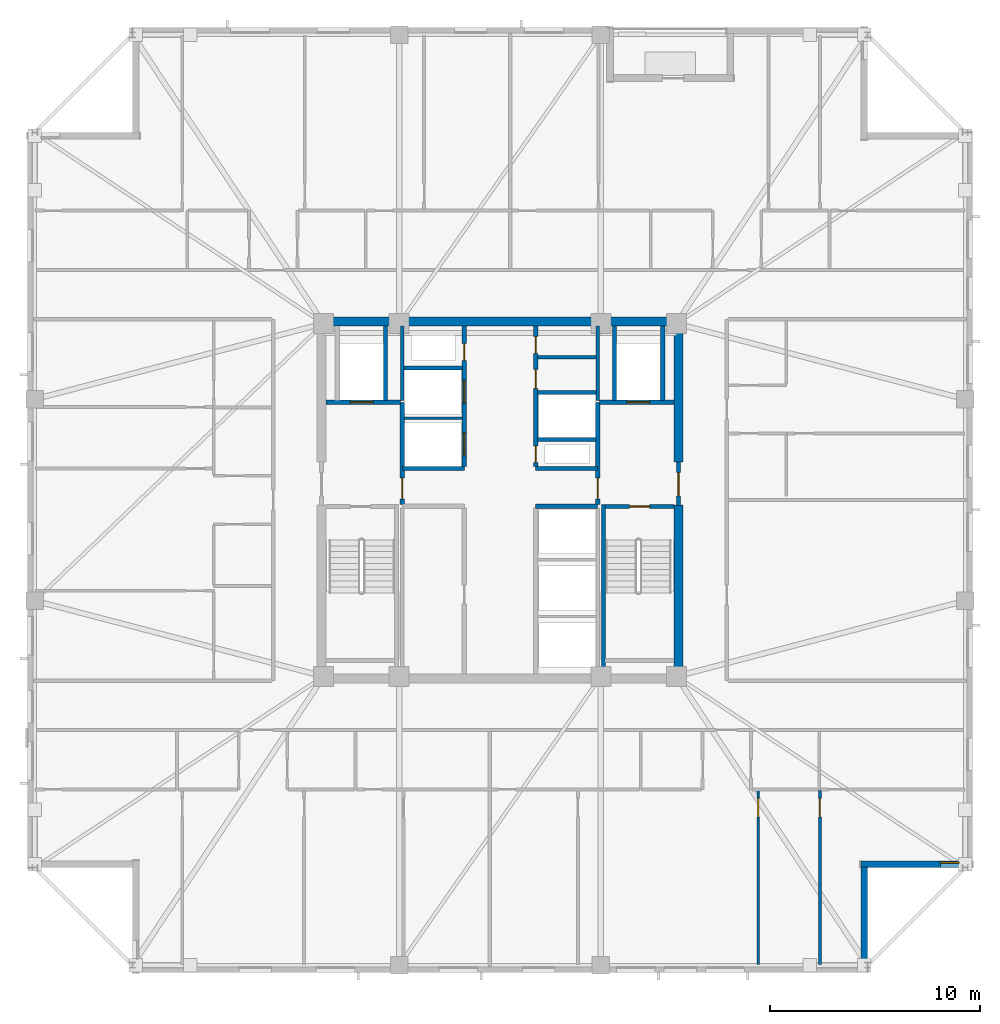
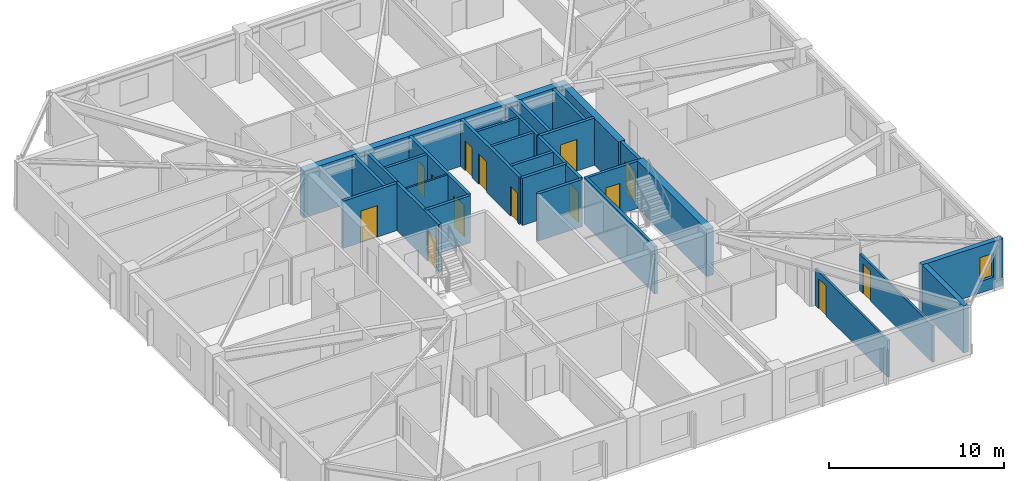
# One storey, part 9 of 17: 29 walls, 14 doors, 1 window, 15 openings.
"""IFC4 building model written with IfcOpenShell, lengths in metres."""

from ifc_helpers import new_model, si_unit, direction, frame, frame_2d, origin, place, context, subcontext, project, spatial, rectangle, extrude, material, layer, layer_set, type_object, element, fill, save


model = new_model("IFC4")

# Units and contexts
model_context = context("Model", 3, precision=1e-05, world=origin(), true_north=direction((0.0, 1.0)))
body_context = subcontext(model_context, "Body", "Model", "MODEL_VIEW")
ifc_project = project(units=[si_unit("LENGTHUNIT", "METRE"), si_unit("AREAUNIT", "SQUARE_METRE"), si_unit("VOLUMEUNIT", "CUBIC_METRE"), si_unit("PLANEANGLEUNIT", "RADIAN"), si_unit("MASSUNIT", "GRAM", prefix="KILO")], contexts=[model_context])

# Site, building, storey
site_placement = place(None, origin())
site = spatial("IfcSite", under=ifc_project, at=site_placement, CompositionType="ELEMENT")
building_placement = place(site_placement, origin())
building = spatial("IfcBuilding", under=site, at=building_placement, Name="Cairnveth Concourse Tower", CompositionType="ELEMENT")
storey_placement = place(building_placement, frame((0.0, 0.0, 202.5)))
storey = spatial("IfcBuildingStorey", under=building, at=storey_placement, Name="L55", CompositionType="ELEMENT", Elevation=202.5)

# Walls
ifc_material_1 = material(Name="Gypsum Plasterboard Partition", Category="gypsum")
ifc_layer_1 = layer(ifc_material_1, 0.159912109375)
ifc_layer_set_1 = layer_set([ifc_layer_1], Name="Gypsum Plasterboard Partition")
wall_type_1 = type_object("IfcWallType", Name="ACOUSTIC PARTY WALL 180", PredefinedType="PARTITIONING", material=ifc_layer_set_1)
wall_1_placement = place(storey_placement, frame((53.784912109375, 45.800048828125, 0.0), z_axis=(0.0, 0.0, 1.0), x_axis=(1.0, 0.0, 0.0)))
element("IfcWall", 1, at=wall_1_placement, inside=storey, type_object=wall_type_1, Name="Interior Wall IW-L55-035", PredefinedType="PARTITIONING", context=body_context, shape_type="SweptSolid", body=[
    extrude(rectangle(XDim=2.7900390625, YDim=0.159912109375, at=frame_2d((1.39501953125, 0.0))), origin(), (0.0, 0.0, 1.0), 3.2900390625),
])
ifc_material_2 = material(Name="Concrete N65 (65 MPa)", Category="concrete")
ifc_layer_2 = layer(ifc_material_2, 0.449951171875)
ifc_layer_set_2 = layer_set([ifc_layer_2], Name="Concrete N65 (65 MPa)")
wall_type_2 = type_object("IfcWallType", Name="CORE SHEAR WALL 450", PredefinedType="SHEAR", material=ifc_layer_set_2)
wall_2_placement = place(storey_placement, frame((43.27490234375, 47.5, 0.0), z_axis=(0.0, 0.0, 1.0), x_axis=(1.0, 0.0, 0.0)))
element("IfcWall", 2, at=wall_2_placement, inside=storey, type_object=wall_type_2, Name="Core North Shear Wall L55", PredefinedType="SHEAR", context=body_context, shape_type="SweptSolid", body=[
    extrude(rectangle(XDim=17.4501953125, YDim=0.449951171875, at=frame_2d((8.72509765625, 0.0))), origin(), (0.0, 0.0, 1.0), 3.2900390625),
])
wall_3_placement = place(storey_placement, frame((60.5, 30.715087890625, 0.0), z_axis=(0.0, 0.0, 1.0), x_axis=(0.0, 1.0, 0.0)))
element("IfcWall", 3, at=wall_3_placement, inside=storey, type_object=wall_type_2, Name="Core East Shear Wall S L55", PredefinedType="SHEAR", context=body_context, shape_type="SweptSolid", body=[
    extrude(rectangle(XDim=8.034912109375, YDim=0.449951171875, at=frame_2d((4.017578125, 0.0))), origin(), (0.0, 0.0, 1.0), 3.2900390625),
])
wall_4_placement = place(storey_placement, frame((60.5, 40.800048828125, 0.0), z_axis=(0.0, 0.0, 1.0), x_axis=(0.0, 1.0, 0.0)))
element("IfcWall", 4, at=wall_4_placement, inside=storey, type_object=wall_type_2, Name="Core East Shear Wall N L55", PredefinedType="SHEAR", context=body_context, shape_type="SweptSolid", body=[
    extrude(rectangle(XDim=6.48486328125, YDim=0.449951171875, at=frame_2d((3.242431640625, 0.0))), origin(), (0.0, 0.0, 1.0), 3.2900390625),
])
ifc_material_3 = material(Name="Concrete N50 (50 MPa)", Category="concrete")
ifc_layer_3 = layer(ifc_material_3, 0.179931640625)
ifc_layer_set_3 = layer_set([ifc_layer_3], Name="Concrete N50 (50 MPa)")
wall_type_3 = type_object("IfcWallType", Name="FIRE SHAFT WALL 180", PredefinedType="SOLIDWALL", material=ifc_layer_set_3)
wall_5_placement = place(storey_placement, frame((47.35009765625, 43.735107421875, 0.0), z_axis=(0.0, 0.0, 1.0), x_axis=(0.0, 1.0, 0.0)))
element("IfcWall", 5, at=wall_5_placement, inside=storey, type_object=wall_type_3, Name="Interior Wall IW-L55-029", PredefinedType="SOLIDWALL", context=body_context, shape_type="SweptSolid", body=[
    extrude(rectangle(XDim=3.554931640625, YDim=0.179931640625, at=frame_2d((1.77734375, 0.0))), origin(), (0.0, 0.0, 1.0), 3.2900390625),
])
wall_6_placement = place(storey_placement, frame((47.425048828125, 45.280029296875, 0.0), z_axis=(0.0, 0.0, 1.0), x_axis=(1.0, 0.0, 0.0)))
element("IfcWall", 6, at=wall_6_placement, inside=storey, type_object=wall_type_3, Name="Interior Wall IW-L55-031", PredefinedType="SOLIDWALL", context=body_context, shape_type="SweptSolid", body=[
    extrude(rectangle(XDim=2.7900390625, YDim=0.179931640625, at=frame_2d((1.39501953125, 0.0))), origin(), (0.0, 0.0, 1.0), 3.2900390625),
])
wall_7_placement = place(storey_placement, frame((56.64990234375, 43.735107421875, 0.0), z_axis=(0.0, 0.0, 1.0), x_axis=(0.0, 1.0, 0.0)))
element("IfcWall", 7, at=wall_7_placement, inside=storey, type_object=wall_type_3, Name="Interior Wall IW-L55-032", PredefinedType="SOLIDWALL", context=body_context, shape_type="SweptSolid", body=[
    extrude(rectangle(XDim=3.554931640625, YDim=0.179931640625, at=frame_2d((1.77734375, 0.0))), origin(), (0.0, 0.0, 1.0), 3.2900390625),
])
wall_8_placement = place(storey_placement, frame((53.784912109375, 41.8798828125, 0.0), z_axis=(0.0, 0.0, 1.0), x_axis=(1.0, 0.0, 0.0)))
element("IfcWall", 8, at=wall_8_placement, inside=storey, type_object=wall_type_3, Name="Interior Wall IW-L55-033", PredefinedType="SOLIDWALL", context=body_context, shape_type="SweptSolid", body=[
    extrude(rectangle(XDim=2.780029296875, YDim=0.179931640625, at=frame_2d((1.39013671875, 0.0))), origin(), (0.0, 0.0, 1.0), 3.2900390625),
])
wall_9_placement = place(storey_placement, frame((53.784912109375, 44.1201171875, 0.0), z_axis=(0.0, 0.0, 1.0), x_axis=(1.0, 0.0, 0.0)))
element("IfcWall", 9, at=wall_9_placement, inside=storey, type_object=wall_type_3, Name="Interior Wall IW-L55-034", PredefinedType="SOLIDWALL", context=body_context, shape_type="SweptSolid", body=[
    extrude(rectangle(XDim=2.7900390625, YDim=0.179931640625, at=frame_2d((1.39501953125, 0.0))), origin(), (0.0, 0.0, 1.0), 3.2900390625),
])

# Wall, opening, door
wall_10_placement = place(storey_placement, frame((57.0048828125, 38.68994140625, 0.0), z_axis=(0.0, 0.0, 1.0), x_axis=(1.0, 0.0, 0.0)))
wall_10 = element("IfcWall", 10, at=wall_10_placement, inside=storey, type_object=wall_type_3, Name="Stair ST-2 Shaft Wall NEAR L55", PredefinedType="SOLIDWALL", context=body_context, shape_type="SweptSolid", body=[
    extrude(rectangle(XDim=3.280029296875, YDim=0.179931640625, at=frame_2d((1.64013671875, 0.0))), origin(), (0.0, 0.0, 1.0), 3.2900390625),
])
opening_1_placement = place(wall_10_placement, frame((1.1650390625, 0.0, 0.0)))
opening_1 = element("IfcOpeningElement", 11, at=opening_1_placement, cuts=wall_10, Name="Opening ID12", PredefinedType="OPENING", context=body_context, shape_type="SweptSolid", body=[
    extrude(rectangle(XDim=0.949951171875, YDim=2.14990234375, at=frame_2d((0.47509765625, 1.074951171875))), frame((0.0, 0.099853515625, 0.0), z_axis=(0.0, -1.0, 0.0), x_axis=(1.0, 0.0, 0.0)), (0.0, 0.0, 1.0), 0.199951171875),
])
ifc_material_4 = material(Name="Steel Grade 350", Category="steel")
door_type_1 = type_object("IfcDoorType", Name="FIRE STAIR DOOR 950X2150", OperationType="NOTDEFINED", PredefinedType="DOOR", material=ifc_material_4)
door_1_placement = place(opening_1_placement, origin())
door_1 = element("IfcDoor", 12, at=door_1_placement, inside=storey, type_object=door_type_1, Name="Stair ST-2 Fire Door L55", OperationType="SINGLE_SWING_RIGHT", OverallHeight=2.14990234375, OverallWidth=0.949951171875, PredefinedType="DOOR", context=body_context, shape_type="SweptSolid", body=[
    extrude(rectangle(XDim=0.949951171875, YDim=2.14990234375, at=frame_2d((0.47509765625, 1.074951171875))), frame((0.0, 0.02490234375, 0.0), z_axis=(0.0, -1.0, 0.0), x_axis=(1.0, 0.0, 0.0)), (0.0, 0.0, 1.0), 0.050048828125),
])
fill(opening_1, door_1)

# Walls
wall_11_placement = place(storey_placement, frame((56.929931640625, 38.780029296875, 0.0), z_axis=(0.0, 0.0, 1.0), x_axis=(0.0, -1.0, 0.0)))
element("IfcWall", 13, at=wall_11_placement, inside=storey, type_object=wall_type_3, Name="Stair ST-2 Shaft Wall LEFT L55", PredefinedType="SOLIDWALL", context=body_context, shape_type="SweptSolid", body=[
    extrude(rectangle(XDim=8.067138671875, YDim=0.179931640625, at=frame_2d((4.03369140625, 0.0))), origin(), (0.0, 0.0, 1.0), 3.2900390625),
])
ifc_layer_4 = layer(ifc_material_3, 0.199951171875)
ifc_layer_set_4 = layer_set([ifc_layer_4], Name="Concrete N50 (50 MPa)")
wall_type_4 = type_object("IfcWallType", Name="FIRE SHAFT WALL 200", PredefinedType="SOLIDWALL", material=ifc_layer_set_4)
for number, where, z_axis, x_axis, name in (
    (14, (47.35009765625, 40.5, 0.0), (0.0, 0.0, 1.0), (1.0, 0.0, 0.0), "Interior Wall IW-L55-008"),
    (15, (53.699951171875, 38.699951171875, 0.0), (0.0, 0.0, 1.0), (1.0, 0.0, 0.0), "Interior Wall IW-L55-009"),
    (16, (53.699951171875, 40.5, 0.0), (0.0, 0.0, 1.0), (1.0, 0.0, 0.0), "Interior Wall IW-L55-010"),
):
    element("IfcWall", number, at=place(storey_placement, frame(where, z_axis=z_axis, x_axis=x_axis)), inside=storey, type_object=wall_type_4, Name=name, PredefinedType="SOLIDWALL", context=body_context, shape_type="SweptSolid", body=[
        extrude(rectangle(XDim=2.949951171875, YDim=0.199951171875, at=frame_2d((1.47509765625, 0.0))), origin(), (0.0, 0.0, 1.0), 3.2900390625),
    ])

# Wall, openings, doors
wall_12_placement = place(storey_placement, frame((50.300048828125, 40.5849609375, 0.0), z_axis=(0.0, 0.0, 1.0), x_axis=(0.0, 1.0, 0.0)))
wall_12 = element("IfcWall", 17, at=wall_12_placement, inside=storey, type_object=wall_type_4, Name="Interior Wall IW-L55-013", PredefinedType="SOLIDWALL", context=body_context, shape_type="SweptSolid", body=[
    extrude(rectangle(XDim=6.705078125, YDim=0.199951171875, at=frame_2d((3.3525390625, 0.0))), origin(), (0.0, 0.0, 1.0), 3.2900390625),
])
opening_2_placement = place(wall_12_placement, frame((0.514892578125, 0.0, 0.0)))
opening_2 = element("IfcOpeningElement", 18, at=opening_2_placement, cuts=wall_12, Name="Opening LD-1", PredefinedType="OPENING", context=body_context, shape_type="SweptSolid", body=[
    extrude(rectangle(XDim=1.10009765625, YDim=2.199951171875, at=frame_2d((0.550048828125, 1.10009765625))), frame((0.0, 0.10986328125, 0.0), z_axis=(0.0, -1.0, 0.0), x_axis=(1.0, 0.0, 0.0)), (0.0, 0.0, 1.0), 0.219970703125),
])
opening_3_placement = place(wall_12_placement, frame((3.014892578125, 0.0, 0.0)))
opening_3 = element("IfcOpeningElement", 19, at=opening_3_placement, cuts=wall_12, Name="Opening LD-1", PredefinedType="OPENING", context=body_context, shape_type="SweptSolid", body=[
    extrude(rectangle(XDim=1.10009765625, YDim=2.199951171875, at=frame_2d((0.550048828125, 1.10009765625))), frame((0.0, 0.10986328125, 0.0), z_axis=(0.0, -1.0, 0.0), x_axis=(1.0, 0.0, 0.0)), (0.0, 0.0, 1.0), 0.219970703125),
])
opening_4_placement = place(wall_12_placement, frame((5.06494140625, 0.0, 0.0)))
opening_4 = element("IfcOpeningElement", 20, at=opening_4_placement, cuts=wall_12, Name="Opening ID24", PredefinedType="OPENING", context=body_context, shape_type="SweptSolid", body=[
    extrude(rectangle(XDim=0.800048828125, YDim=2.080078125, at=frame_2d((0.39990234375, 1.0400390625))), frame((0.0, 0.10986328125, 0.0), z_axis=(0.0, -1.0, 0.0), x_axis=(1.0, 0.0, 0.0)), (0.0, 0.0, 1.0), 0.219970703125),
])
ifc_material_5 = material(Name="Architectural Bronze Anodised Aluminium 6063-T6", Category="aluminium")
door_type_2 = type_object("IfcDoorType", Name="LIFT LANDING DOOR 1100X2200", OperationType="SLIDING_TO_LEFT", PredefinedType="DOOR", material=ifc_material_5)
door_2_placement = place(opening_2_placement, origin())
door_2 = element("IfcDoor", 21, at=door_2_placement, inside=storey, type_object=door_type_2, Name="Lift PL7 Landing Door L55", OperationType="SLIDING_TO_LEFT", OverallHeight=2.199951171875, OverallWidth=1.10009765625, PredefinedType="DOOR", context=body_context, shape_type="SweptSolid", body=[
    extrude(rectangle(XDim=1.10009765625, YDim=2.199951171875, at=frame_2d((0.550048828125, 1.10009765625))), frame((0.0, 0.02490234375, 0.0), z_axis=(0.0, -1.0, 0.0), x_axis=(1.0, 0.0, 0.0)), (0.0, 0.0, 1.0), 0.050048828125),
])
fill(opening_2, door_2)
door_3_placement = place(opening_3_placement, origin())
door_3 = element("IfcDoor", 22, at=door_3_placement, inside=storey, type_object=door_type_2, Name="Lift PL8 Landing Door L55", OperationType="SLIDING_TO_LEFT", OverallHeight=2.199951171875, OverallWidth=1.10009765625, PredefinedType="DOOR", context=body_context, shape_type="SweptSolid", body=[
    extrude(rectangle(XDim=1.10009765625, YDim=2.199951171875, at=frame_2d((0.550048828125, 1.10009765625))), frame((0.0, 0.02490234375, 0.0), z_axis=(0.0, -1.0, 0.0), x_axis=(1.0, 0.0, 0.0)), (0.0, 0.0, 1.0), 0.050048828125),
])
fill(opening_3, door_3)
door_type_3 = type_object("IfcDoorType", Name="RISER ACCESS DOOR 800X2100", OperationType="NOTDEFINED", PredefinedType="DOOR", material=ifc_material_4)
door_4_placement = place(opening_4_placement, origin())
door_4 = element("IfcDoor", 23, at=door_4_placement, inside=storey, type_object=door_type_3, Name="NW Electrical Riser Access Door L55", OperationType="SINGLE_SWING_RIGHT", OverallHeight=2.080078125, OverallWidth=0.800048828125, PredefinedType="DOOR", context=body_context, shape_type="SweptSolid", body=[
    extrude(rectangle(XDim=0.800048828125, YDim=2.080078125, at=frame_2d((0.39990234375, 1.0400390625))), frame((0.0, 0.02490234375, 0.0), z_axis=(0.0, -1.0, 0.0), x_axis=(1.0, 0.0, 0.0)), (0.0, 0.0, 1.0), 0.050048828125),
])
fill(opening_4, door_4)

wall_13_placement = place(storey_placement, frame((53.699951171875, 40.5849609375, 0.0), z_axis=(0.0, 0.0, 1.0), x_axis=(0.0, 1.0, 0.0)))
wall_13 = element("IfcWall", 24, at=wall_13_placement, inside=storey, type_object=wall_type_4, Name="Interior Wall IW-L55-014", PredefinedType="SOLIDWALL", context=body_context, shape_type="SweptSolid", body=[
    extrude(rectangle(XDim=6.705078125, YDim=0.199951171875, at=frame_2d((3.3525390625, 0.0))), origin(), (0.0, 0.0, 1.0), 3.2900390625),
])
opening_5_placement = place(wall_13_placement, frame((0.195068359375, 0.0, 0.0)))
opening_5 = element("IfcOpeningElement", 25, at=opening_5_placement, cuts=wall_13, Name="Opening ID24", PredefinedType="OPENING", context=body_context, shape_type="SweptSolid", body=[
    extrude(rectangle(XDim=0.800048828125, YDim=2.080078125, at=frame_2d((0.39990234375, 1.0400390625))), frame((0.0, 0.10986328125, 0.0), z_axis=(0.0, -1.0, 0.0), x_axis=(1.0, 0.0, 0.0)), (0.0, 0.0, 1.0), 0.219970703125),
])
opening_6_placement = place(wall_13_placement, frame((3.735107421875, 0.0, 0.0)))
opening_6 = element("IfcOpeningElement", 26, at=opening_6_placement, cuts=wall_13, Name="Opening ID26", PredefinedType="OPENING", context=body_context, shape_type="SweptSolid", body=[
    extrude(rectangle(XDim=0.89990234375, YDim=2.1201171875, at=frame_2d((0.449951171875, 1.06005859375))), frame((0.0, 0.10986328125, 0.0), z_axis=(0.0, -1.0, 0.0), x_axis=(1.0, 0.0, 0.0)), (0.0, 0.0, 1.0), 0.219970703125),
])
opening_7_placement = place(wall_13_placement, frame((5.39501953125, 0.0, 0.0)))
opening_7 = element("IfcOpeningElement", 27, at=opening_7_placement, cuts=wall_13, Name="Opening ID23", PredefinedType="OPENING", context=body_context, shape_type="SweptSolid", body=[
    extrude(rectangle(XDim=0.800048828125, YDim=2.10009765625, at=frame_2d((0.39990234375, 1.050048828125))), frame((0.0, 0.10986328125, 0.0), z_axis=(0.0, -1.0, 0.0), x_axis=(1.0, 0.0, 0.0)), (0.0, 0.0, 1.0), 0.219970703125),
])
door_type_4 = type_object("IfcDoorType", Name="CORE SERVICE DOOR 800X2100", OperationType="NOTDEFINED", PredefinedType="DOOR", material=ifc_material_4)
door_5_placement = place(opening_7_placement, origin())
door_5 = element("IfcDoor", 28, at=door_5_placement, inside=storey, type_object=door_type_4, Name="Core NE Cleaners Door L55", OperationType="SINGLE_SWING_LEFT", OverallHeight=2.10009765625, OverallWidth=0.800048828125, PredefinedType="DOOR", context=body_context, shape_type="SweptSolid", body=[
    extrude(rectangle(XDim=0.800048828125, YDim=2.10009765625, at=frame_2d((0.39990234375, 1.050048828125))), frame((0.0, 0.02490234375, 0.0), z_axis=(0.0, -1.0, 0.0), x_axis=(1.0, 0.0, 0.0)), (0.0, 0.0, 1.0), 0.050048828125),
])
fill(opening_7, door_5)
door_type_5 = type_object("IfcDoorType", Name="CORE TOILET FIRE DOOR 900X2120", OperationType="NOTDEFINED", PredefinedType="DOOR", material=ifc_material_4)
door_6_placement = place(opening_6_placement, origin())
door_6 = element("IfcDoor", 29, at=door_6_placement, inside=storey, type_object=door_type_5, Name="Core NE Unisex WC Door L55", OperationType="SINGLE_SWING_RIGHT", OverallHeight=2.1201171875, OverallWidth=0.89990234375, PredefinedType="DOOR", context=body_context, shape_type="SweptSolid", body=[
    extrude(rectangle(XDim=0.89990234375, YDim=2.1201171875, at=frame_2d((0.449951171875, 1.06005859375))), frame((0.0, 0.02490234375, 0.0), z_axis=(0.0, -1.0, 0.0), x_axis=(1.0, 0.0, 0.0)), (0.0, 0.0, 1.0), 0.050048828125),
])
fill(opening_6, door_6)
door_7_placement = place(opening_5_placement, origin())
door_7 = element("IfcDoor", 30, at=door_7_placement, inside=storey, type_object=door_type_3, Name="Hydraulic Riser Door L55", OperationType="SINGLE_SWING_LEFT", OverallHeight=2.080078125, OverallWidth=0.800048828125, PredefinedType="DOOR", context=body_context, shape_type="SweptSolid", body=[
    extrude(rectangle(XDim=0.800048828125, YDim=2.080078125, at=frame_2d((0.39990234375, 1.0400390625))), frame((0.0, 0.02490234375, 0.0), z_axis=(0.0, -1.0, 0.0), x_axis=(1.0, 0.0, 0.0)), (0.0, 0.0, 1.0), 0.050048828125),
])
fill(opening_5, door_7)

# Wall, opening, door
wall_14_placement = place(storey_placement, frame((47.35009765625, 38.784912109375, 0.0), z_axis=(0.0, 0.0, 1.0), x_axis=(0.0, 1.0, 0.0)))
wall_14 = element("IfcWall", 31, at=wall_14_placement, inside=storey, type_object=wall_type_4, Name="Interior Wall IW-L55-016", PredefinedType="SOLIDWALL", context=body_context, shape_type="SweptSolid", body=[
    extrude(rectangle(XDim=4.864990234375, YDim=0.199951171875, at=frame_2d((2.4326171875, 0.0))), origin(), (0.0, 0.0, 1.0), 3.2900390625),
])
opening_8_placement = place(wall_14_placement, frame((0.264892578125, 0.0, 0.0)))
opening_8 = element("IfcOpeningElement", 32, at=opening_8_placement, cuts=wall_14, Name="Opening ID07", PredefinedType="OPENING", context=body_context, shape_type="SweptSolid", body=[
    extrude(rectangle(XDim=1.0, YDim=2.14990234375, at=frame_2d((0.5, 1.074951171875))), frame((0.0, 0.10986328125, 0.0), z_axis=(0.0, -1.0, 0.0), x_axis=(1.0, 0.0, 0.0)), (0.0, 0.0, 1.0), 0.219970703125),
])
door_type_6 = type_object("IfcDoorType", Name="FIRE CORRIDOR DOOR 1000X2150", OperationType="NOTDEFINED", PredefinedType="DOOR", material=ifc_material_4)
door_8_placement = place(opening_8_placement, origin())
door_8 = element("IfcDoor", 33, at=door_8_placement, inside=storey, type_object=door_type_6, Name="FF Lobby West to Lift Lobby Door L55", OperationType="SINGLE_SWING_RIGHT", OverallHeight=2.14990234375, OverallWidth=1.0, PredefinedType="DOOR", context=body_context, shape_type="SweptSolid", body=[
    extrude(rectangle(XDim=1.0, YDim=2.14990234375, at=frame_2d((0.5, 1.074951171875))), frame((0.0, 0.02490234375, 0.0), z_axis=(0.0, -1.0, 0.0), x_axis=(1.0, 0.0, 0.0)), (0.0, 0.0, 1.0), 0.050048828125),
])
fill(opening_8, door_8)

wall_15_placement = place(storey_placement, frame((43.7099609375, 43.64990234375, 0.0), z_axis=(0.0, 0.0, 1.0), x_axis=(1.0, 0.0, 0.0)))
wall_15 = element("IfcWall", 34, at=wall_15_placement, inside=storey, type_object=wall_type_4, Name="Interior Wall IW-L55-017", PredefinedType="SOLIDWALL", context=body_context, shape_type="SweptSolid", body=[
    extrude(rectangle(XDim=3.554931640625, YDim=0.199951171875, at=frame_2d((1.77734375, 0.0))), origin(), (0.0, 0.0, 1.0), 3.2900390625),
])
opening_9_placement = place(wall_15_placement, frame((1.159912109375, 0.0, 0.0)))
opening_9 = element("IfcOpeningElement", 35, at=opening_9_placement, cuts=wall_15, Name="Opening LD-1", PredefinedType="OPENING", context=body_context, shape_type="SweptSolid", body=[
    extrude(rectangle(XDim=1.10009765625, YDim=2.199951171875, at=frame_2d((0.550048828125, 1.10009765625))), frame((0.0, 0.10986328125, 0.0), z_axis=(0.0, -1.0, 0.0), x_axis=(1.0, 0.0, 0.0)), (0.0, 0.0, 1.0), 0.219970703125),
])
door_9_placement = place(opening_9_placement, origin())
door_9 = element("IfcDoor", 36, at=door_9_placement, inside=storey, type_object=door_type_2, Name="Lift FFL1 Landing Door L55", OperationType="SLIDING_TO_LEFT", OverallHeight=2.199951171875, OverallWidth=1.10009765625, PredefinedType="DOOR", context=body_context, shape_type="SweptSolid", body=[
    extrude(rectangle(XDim=1.10009765625, YDim=2.199951171875, at=frame_2d((0.550048828125, 1.10009765625))), frame((0.0, 0.02490234375, 0.0), z_axis=(0.0, -1.0, 0.0), x_axis=(1.0, 0.0, 0.0)), (0.0, 0.0, 1.0), 0.050048828125),
])
fill(opening_9, door_9)

# Wall
wall_16_placement = place(storey_placement, frame((46.550048828125, 43.735107421875, 0.0), z_axis=(0.0, 0.0, 1.0), x_axis=(0.0, 1.0, 0.0)))
element("IfcWall", 37, at=wall_16_placement, inside=storey, type_object=wall_type_4, Name="Interior Wall IW-L55-018", PredefinedType="SOLIDWALL", context=body_context, shape_type="SweptSolid", body=[
    extrude(rectangle(XDim=3.554931640625, YDim=0.199951171875, at=frame_2d((1.77734375, 0.0))), origin(), (0.0, 0.0, 1.0), 3.2900390625),
])

# Wall, opening, door
wall_17_placement = place(storey_placement, frame((60.5, 38.75, 0.0), z_axis=(0.0, 0.0, 1.0), x_axis=(0.0, 1.0, 0.0)))
wall_17 = element("IfcWall", 38, at=wall_17_placement, inside=storey, type_object=wall_type_4, Name="Interior Wall IW-L55-020", PredefinedType="SOLIDWALL", context=body_context, shape_type="SweptSolid", body=[
    extrude(rectangle(XDim=2.050048828125, YDim=0.199951171875, at=frame_2d((1.02490234375, 0.0))), origin(), (0.0, 0.0, 1.0), 3.2900390625),
])
opening_10_placement = place(wall_17_placement, frame((0.449951171875, 0.0, 0.0)))
opening_10 = element("IfcOpeningElement", 39, at=opening_10_placement, cuts=wall_17, Name="Opening ID06", PredefinedType="OPENING", context=body_context, shape_type="SweptSolid", body=[
    extrude(rectangle(XDim=1.10009765625, YDim=2.14990234375, at=frame_2d((0.550048828125, 1.074951171875))), frame((0.0, 0.10986328125, 0.0), z_axis=(0.0, -1.0, 0.0), x_axis=(1.0, 0.0, 0.0)), (0.0, 0.0, 1.0), 0.219970703125),
])
door_type_7 = type_object("IfcDoorType", Name="FIRE CORRIDOR DOOR 1100X2150", OperationType="NOTDEFINED", PredefinedType="DOOR", material=ifc_material_4)
door_10_placement = place(opening_10_placement, origin())
door_10 = element("IfcDoor", 40, at=door_10_placement, inside=storey, type_object=door_type_7, Name="East Wing to FF Lobby Door L55", OperationType="SINGLE_SWING_RIGHT", OverallHeight=2.14990234375, OverallWidth=1.10009765625, PredefinedType="DOOR", context=body_context, shape_type="SweptSolid", body=[
    extrude(rectangle(XDim=1.10009765625, YDim=2.14990234375, at=frame_2d((0.550048828125, 1.074951171875))), frame((0.0, 0.02490234375, 0.0), z_axis=(0.0, -1.0, 0.0), x_axis=(1.0, 0.0, 0.0)), (0.0, 0.0, 1.0), 0.050048828125),
])
fill(opening_10, door_10)

wall_18_placement = place(storey_placement, frame((56.64990234375, 38.784912109375, 0.0), z_axis=(0.0, 0.0, 1.0), x_axis=(0.0, 1.0, 0.0)))
wall_18 = element("IfcWall", 41, at=wall_18_placement, inside=storey, type_object=wall_type_4, Name="Interior Wall IW-L55-021", PredefinedType="SOLIDWALL", context=body_context, shape_type="SweptSolid", body=[
    extrude(rectangle(XDim=4.864990234375, YDim=0.199951171875, at=frame_2d((2.4326171875, 0.0))), origin(), (0.0, 0.0, 1.0), 3.2900390625),
])
opening_11_placement = place(wall_18_placement, frame((0.264892578125, 0.0, 0.0)))
opening_11 = element("IfcOpeningElement", 42, at=opening_11_placement, cuts=wall_18, Name="Opening ID07", PredefinedType="OPENING", context=body_context, shape_type="SweptSolid", body=[
    extrude(rectangle(XDim=1.0, YDim=2.14990234375, at=frame_2d((0.5, 1.074951171875))), frame((0.0, 0.10986328125, 0.0), z_axis=(0.0, -1.0, 0.0), x_axis=(1.0, 0.0, 0.0)), (0.0, 0.0, 1.0), 0.219970703125),
])
door_11_placement = place(opening_11_placement, origin())
door_11 = element("IfcDoor", 43, at=door_11_placement, inside=storey, type_object=door_type_6, Name="FF Lobby East to Lift Lobby Door L55", OperationType="SINGLE_SWING_LEFT", OverallHeight=2.14990234375, OverallWidth=1.0, PredefinedType="DOOR", context=body_context, shape_type="SweptSolid", body=[
    extrude(rectangle(XDim=1.0, YDim=2.14990234375, at=frame_2d((0.5, 1.074951171875))), frame((0.0, 0.02490234375, 0.0), z_axis=(0.0, -1.0, 0.0), x_axis=(1.0, 0.0, 0.0)), (0.0, 0.0, 1.0), 0.050048828125),
])
fill(opening_11, door_11)

wall_19_placement = place(storey_placement, frame((56.735107421875, 43.64990234375, 0.0), z_axis=(0.0, 0.0, 1.0), x_axis=(1.0, 0.0, 0.0)))
wall_19 = element("IfcWall", 44, at=wall_19_placement, inside=storey, type_object=wall_type_4, Name="Interior Wall IW-L55-022", PredefinedType="SOLIDWALL", context=body_context, shape_type="SweptSolid", body=[
    extrude(rectangle(XDim=3.554931640625, YDim=0.199951171875, at=frame_2d((1.77734375, 0.0))), origin(), (0.0, 0.0, 1.0), 3.2900390625),
])
opening_12_placement = place(wall_19_placement, frame((1.294921875, 0.0, 0.0)))
opening_12 = element("IfcOpeningElement", 45, at=opening_12_placement, cuts=wall_19, Name="Opening LD-1", PredefinedType="OPENING", context=body_context, shape_type="SweptSolid", body=[
    extrude(rectangle(XDim=1.10009765625, YDim=2.199951171875, at=frame_2d((0.550048828125, 1.10009765625))), frame((0.0, 0.10986328125, 0.0), z_axis=(0.0, -1.0, 0.0), x_axis=(1.0, 0.0, 0.0)), (0.0, 0.0, 1.0), 0.219970703125),
])
door_12_placement = place(opening_12_placement, origin())
door_12 = element("IfcDoor", 46, at=door_12_placement, inside=storey, type_object=door_type_2, Name="Lift FFL2 Landing Door L55", OperationType="SLIDING_TO_LEFT", OverallHeight=2.199951171875, OverallWidth=1.10009765625, PredefinedType="DOOR", context=body_context, shape_type="SweptSolid", body=[
    extrude(rectangle(XDim=1.10009765625, YDim=2.199951171875, at=frame_2d((0.550048828125, 1.10009765625))), frame((0.0, 0.02490234375, 0.0), z_axis=(0.0, -1.0, 0.0), x_axis=(1.0, 0.0, 0.0)), (0.0, 0.0, 1.0), 0.050048828125),
])
fill(opening_12, door_12)

# Walls
for number, where, z_axis, x_axis, name in (
    (47, (57.449951171875, 43.735107421875, 0.0), (0.0, 0.0, 1.0), (0.0, 1.0, 0.0), "Interior Wall IW-L55-023"),
    (48, (59.75, 43.735107421875, 0.0), (0.0, 0.0, 1.0), (0.0, 1.0, 0.0), "Interior Wall IW-L55-024"),
):
    element("IfcWall", number, at=place(storey_placement, frame(where, z_axis=z_axis, x_axis=x_axis)), inside=storey, type_object=wall_type_4, Name=name, PredefinedType="SOLIDWALL", context=body_context, shape_type="SweptSolid", body=[
        extrude(rectangle(XDim=3.554931640625, YDim=0.199951171875, at=frame_2d((1.77734375, 0.0))), origin(), (0.0, 0.0, 1.0), 3.2900390625),
    ])

# Wall, opening, door
ifc_layer_5 = layer(ifc_material_1, 0.139892578125)
ifc_layer_set_5 = layer_set([ifc_layer_5], Name="Gypsum Plasterboard Partition")
wall_type_5 = type_object("IfcWallType", Name="GYPSUM STUD PARTITION 140", PredefinedType="PARTITIONING", material=ifc_layer_set_5)
wall_20_placement = place(storey_placement, frame((67.22998046875, 16.8798828125, 0.0), z_axis=(0.0, 0.0, 1.0), x_axis=(0.0, 1.0, 0.0)))
wall_20 = element("IfcWall", 49, at=wall_20_placement, inside=storey, type_object=wall_type_5, Name="Interior Wall IW-L55-064", PredefinedType="PARTITIONING", context=body_context, shape_type="SweptSolid", body=[
    extrude(rectangle(XDim=8.2900390625, YDim=0.139892578125, at=frame_2d((4.14501953125, 0.0))), origin(), (0.0, 0.0, 1.0), 2.572998046875),
])
opening_13_placement = place(wall_20_placement, frame((7.030029296875, 0.0, 0.0)))
opening_13 = element("IfcOpeningElement", 50, at=opening_13_placement, cuts=wall_20, Name="Opening ID18", PredefinedType="OPENING", context=body_context, shape_type="SweptSolid", body=[
    extrude(rectangle(XDim=0.8798828125, YDim=2.10009765625, at=frame_2d((0.43994140625, 1.050048828125))), frame((0.0, 0.079833984375, 0.0), z_axis=(0.0, -1.0, 0.0), x_axis=(1.0, 0.0, 0.0)), (0.0, 0.0, 1.0), 0.159912109375),
])
ifc_material_6 = material(Name="Solid Core Hardwood Timber Leaf", Category="wood")
door_type_8 = type_object("IfcDoorType", Name="INTERIOR SINGLE DOOR 880X2100", OperationType="NOTDEFINED", PredefinedType="DOOR", material=ifc_material_6)
door_13_placement = place(opening_13_placement, origin())
door_13 = element("IfcDoor", 51, at=door_13_placement, inside=storey, type_object=door_type_8, Name="L55S2 Bedroom 2 Door", OperationType="SINGLE_SWING_LEFT", OverallHeight=2.10009765625, OverallWidth=0.8798828125, PredefinedType="DOOR", context=body_context, shape_type="SweptSolid", body=[
    extrude(rectangle(XDim=0.8798828125, YDim=2.10009765625, at=frame_2d((0.43994140625, 1.050048828125))), frame((0.0, 0.02490234375, 0.0), z_axis=(0.0, -1.0, 0.0), x_axis=(1.0, 0.0, 0.0)), (0.0, 0.0, 1.0), 0.050048828125),
])
fill(opening_13, door_13)

wall_21_placement = place(storey_placement, frame((64.296142578125, 16.8798828125, 0.0), z_axis=(0.0, 0.0, 1.0), x_axis=(0.0, 1.0, 0.0)))
wall_21 = element("IfcWall", 52, at=wall_21_placement, inside=storey, type_object=wall_type_5, Name="Interior Wall IW-L55-066", PredefinedType="PARTITIONING", context=body_context, shape_type="SweptSolid", body=[
    extrude(rectangle(XDim=8.2900390625, YDim=0.139892578125, at=frame_2d((4.14501953125, 0.0))), origin(), (0.0, 0.0, 1.0), 2.572998046875),
])
opening_14_placement = place(wall_21_placement, frame((7.030029296875, 0.0, 0.0)))
opening_14 = element("IfcOpeningElement", 53, at=opening_14_placement, cuts=wall_21, Name="Opening ID18", PredefinedType="OPENING", context=body_context, shape_type="SweptSolid", body=[
    extrude(rectangle(XDim=0.8798828125, YDim=2.10009765625, at=frame_2d((0.43994140625, 1.050048828125))), frame((0.0, 0.079833984375, 0.0), z_axis=(0.0, -1.0, 0.0), x_axis=(1.0, 0.0, 0.0)), (0.0, 0.0, 1.0), 0.159912109375),
])
door_14_placement = place(opening_14_placement, origin())
door_14 = element("IfcDoor", 54, at=door_14_placement, inside=storey, type_object=door_type_8, Name="L55S2 Media Lounge Door", OperationType="SINGLE_SWING_RIGHT", OverallHeight=2.10009765625, OverallWidth=0.8798828125, PredefinedType="DOOR", context=body_context, shape_type="SweptSolid", body=[
    extrude(rectangle(XDim=0.8798828125, YDim=2.10009765625, at=frame_2d((0.43994140625, 1.050048828125))), frame((0.0, 0.02490234375, 0.0), z_axis=(0.0, -1.0, 0.0), x_axis=(1.0, 0.0, 0.0)), (0.0, 0.0, 1.0), 0.050048828125),
])
fill(opening_14, door_14)

# Wall
ifc_layer_6 = layer(ifc_material_1, 0.110107421875)
ifc_layer_set_6 = layer_set([ifc_layer_6], Name="Gypsum Plasterboard Partition")
wall_type_6 = type_object("IfcWallType", Name="SHAFT DIVIDER WALL 140", PredefinedType="PARTITIONING", material=ifc_layer_set_6)
wall_22_placement = place(storey_placement, frame((47.43505859375, 42.89990234375, 0.0), z_axis=(0.0, 0.0, 1.0), x_axis=(1.0, 0.0, 0.0)))
element("IfcWall", 55, at=wall_22_placement, inside=storey, type_object=wall_type_6, Name="Interior Wall IW-L55-030", PredefinedType="PARTITIONING", context=body_context, shape_type="SweptSolid", body=[
    extrude(rectangle(XDim=2.780029296875, YDim=0.110107421875, at=frame_2d((1.39013671875, 0.0))), origin(), (0.0, 0.0, 1.0), 3.2900390625),
])

# Wall, opening, window
ifc_material_7 = material(Name="Melbourne Buff Fired Clay Brick Masonry", Category="masonry")
ifc_layer_7 = layer(ifc_material_7, 0.320068359375)
ifc_layer_set_7 = layer_set([ifc_layer_7], Name="Melbourne Buff Fired Clay Brick Masonry")
wall_type_7 = type_object("IfcWallType", Name="ZONE 3 BRICK PIER SPANDREL WALL 320", PredefinedType="SOLIDWALL", material=ifc_layer_set_7)
wall_23_placement = place(storey_placement, frame((74.5, 21.659912109375, 0.0), z_axis=(0.0, 0.0, 1.0), x_axis=(-1.0, 0.0, 0.0)))
wall_23 = element("IfcWall", 56, at=wall_23_placement, inside=storey, type_object=wall_type_7, Name="Exterior Wall EW-L55-S04", PredefinedType="SOLIDWALL", context=body_context, shape_type="SweptSolid", body=[
    extrude(rectangle(XDim=5.320068359375, YDim=0.320068359375, at=frame_2d((2.66015625, 0.0))), origin(), (0.0, 0.0, 1.0), 3.2900390625),
])
opening_15_placement = place(wall_23_placement, frame((0.6298828125, 0.0, 0.800048828125)))
opening_15 = element("IfcOpeningElement", 57, at=opening_15_placement, cuts=wall_23, Name="Opening W13", PredefinedType="OPENING", context=body_context, shape_type="SweptSolid", body=[
    extrude(rectangle(XDim=0.89990234375, YDim=1.677978515625, at=frame_2d((0.449951171875, 0.8388671875))), frame((0.0, 0.169921875, 0.0), z_axis=(0.0, -1.0, 0.0), x_axis=(1.0, 0.0, 0.0)), (0.0, 0.0, 1.0), 0.340087890625),
])
ifc_material_8 = material(Name="Double Glazed Low-E Clear Glass", Category="glass")
window_type = type_object("IfcWindowType", Name="DEEP-SET BEDROOM LANCET WINDOW 900X1750", PartitioningType="DOUBLE_PANEL_VERTICAL", PredefinedType="WINDOW", material=ifc_material_8)
window_placement = place(opening_15_placement, origin())
window = element("IfcWindow", 58, at=window_placement, inside=storey, type_object=window_type, Name="Dwelling Lancet Window L55-DW2", OverallHeight=1.677978515625, OverallWidth=0.89990234375, PartitioningType="SINGLE_PANEL", PredefinedType="WINDOW", context=body_context, shape_type="SweptSolid", body=[
    extrude(rectangle(XDim=0.89990234375, YDim=1.677978515625, at=frame_2d((0.449951171875, 0.8388671875))), frame((0.0, -0.0400390625, 0.0), z_axis=(0.0, -1.0, 0.0), x_axis=(1.0, 0.0, 0.0)), (0.0, 0.0, 1.0), 0.06005859375),
])
fill(opening_15, window)

# Wall
wall_24_placement = place(storey_placement, frame((69.340087890625, 21.52197265625, 0.0), z_axis=(0.0, 0.0, 1.0), x_axis=(0.0, -1.0, 0.0)))
element("IfcWall", 59, at=wall_24_placement, inside=storey, type_object=wall_type_7, Name="Exterior Wall EW-L55-S05", PredefinedType="SOLIDWALL", context=body_context, shape_type="SweptSolid", body=[
    extrude(rectangle(XDim=4.723876953125, YDim=0.320068359375, at=frame_2d((2.36181640625, 0.0))), origin(), (0.0, 0.0, 1.0), 3.2900390625),
])

save(model, "model.ifc")
